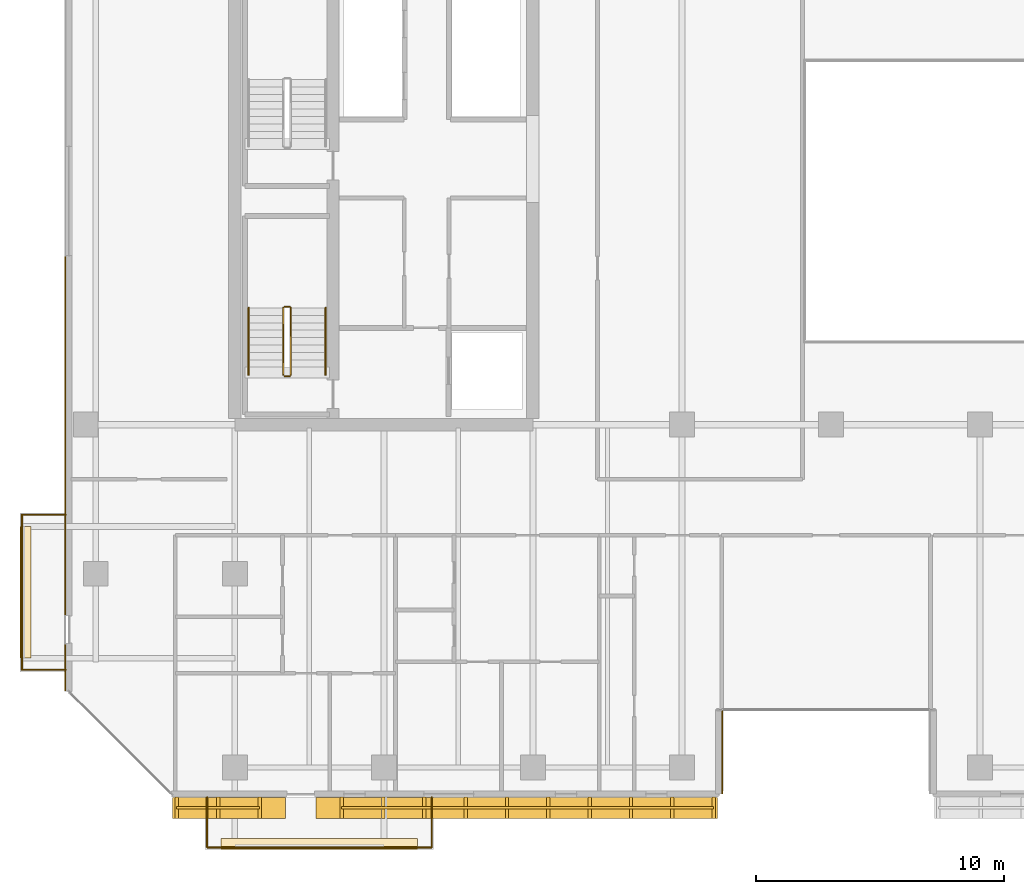
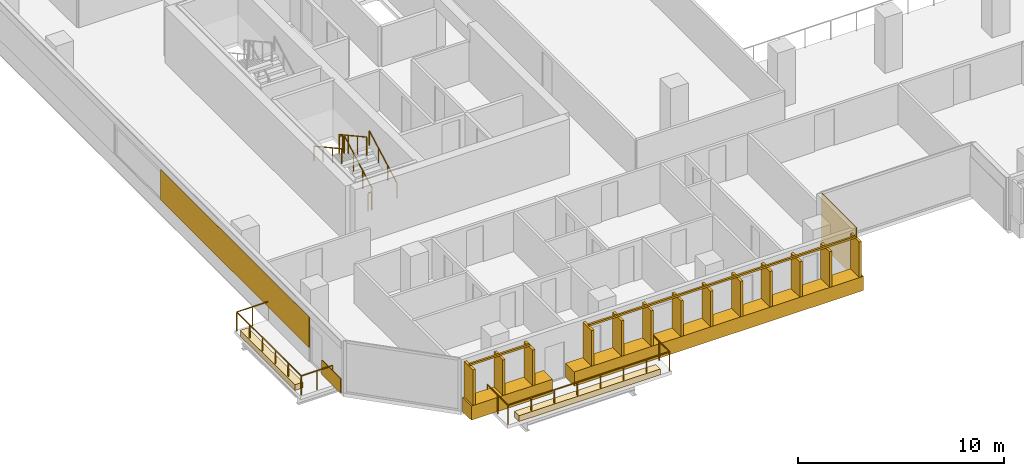
# One storey, part 28 of 33: 10 railings, 7 coverings.
"""IFC4 building model written with IfcOpenShell, lengths in metres."""

from ifc_helpers import new_model, si_unit, direction, frame, origin, origin_2d, place, context, subcontext, project, spatial, polyline, rectangle, outline, extrude, material, layer, layer_set, type_object, element, save


model = new_model("IFC4")

# Units and contexts
model_context = context("Model", 3, precision=1e-05, world=origin(), true_north=direction((0.0, 1.0)))
body_context = subcontext(model_context, "Body", "Model", "MODEL_VIEW")
ifc_project = project(units=[si_unit("LENGTHUNIT", "METRE"), si_unit("AREAUNIT", "SQUARE_METRE"), si_unit("VOLUMEUNIT", "CUBIC_METRE"), si_unit("PLANEANGLEUNIT", "RADIAN"), si_unit("MASSUNIT", "GRAM", prefix="KILO")], contexts=[model_context])

# Site, building, storey
site_placement = place(None, origin())
site = spatial("IfcSite", under=ifc_project, at=site_placement, CompositionType="ELEMENT")
building_placement = place(site_placement, origin())
building = spatial("IfcBuilding", under=site, at=building_placement, Name="Tanjung Sevakor Pilgrim Tower", CompositionType="ELEMENT")
storey_placement = place(building_placement, frame((0.0, 0.0, 95.3701171875)))
storey = spatial("IfcBuildingStorey", under=building, at=storey_placement, Name="L26", CompositionType="ELEMENT", Elevation=95.3701171875)

# Coverings
ifc_material_1 = material(Name="Reconstructed Limestone Cladding", Category="masonry")
ifc_layer_1 = layer(ifc_material_1, 0.044921875)
ifc_layer_set_1 = layer_set([ifc_layer_1], Name="COV-CLAD-LIMESTONE")
covering_type_1 = type_object("IfcCoveringType", Name="COV-CLAD-LIMESTONE", PredefinedType="CLADDING", material=ifc_layer_set_1)
covering_1_placement = place(storey_placement, frame((23.765869140625, 9.169921875, 0.009765625), z_axis=(0.0, 0.0, 1.0), x_axis=(1.0, 0.0, 0.0)))
element("IfcCovering", 1, at=covering_1_placement, inside=storey, type_object=covering_type_1, Name="L26 Warm Limestone Sill Spandrel EW-L26-MAIN-1-1", PredefinedType="CLADDING", context=body_context, shape_type="SweptSolid", body=[
    extrude(rectangle(XDim=4.548095703125, YDim=0.860107421875, at=origin_2d()), origin(), (0.0, 0.0, 1.0), 0.840087890625),
])
covering_2_placement = place(storey_placement, frame((35.347412109375, 9.169921875, 0.009765625), z_axis=(0.0, 0.0, 1.0), x_axis=(1.0, 0.0, 0.0)))
element("IfcCovering", 2, at=covering_2_placement, inside=storey, type_object=covering_type_1, Name="L26 Warm Limestone Sill Spandrel EW-L26-MAIN-1-2", PredefinedType="CLADDING", context=body_context, shape_type="SweptSolid", body=[
    extrude(rectangle(XDim=16.175048828125, YDim=0.860107421875, at=origin_2d()), origin(), (0.0, 0.0, 1.0), 0.840087890625),
])
covering_3_placement = place(storey_placement, frame((43.62255859375, 11.425048828125, 0.019775390625), z_axis=(0.0, 0.0, 1.0), x_axis=(0.0, 1.0, 0.0)))
element("IfcCovering", 3, at=covering_3_placement, inside=storey, type_object=covering_type_1, Name="L26 Warm Limestone Wall Cladding EW-L26-MAIN-2", PredefinedType="CLADDING", context=body_context, shape_type="SweptSolid", body=[
    extrude(rectangle(XDim=3.360107421875, YDim=0.044921875, at=origin_2d()), origin(), (0.0, 0.0, 1.0), 3.0400390625),
])
covering_4_placement = place(storey_placement, frame((17.177490234375, 14.81591796875, 0.009765625), z_axis=(0.0, 0.0, 1.0), x_axis=(0.0, -1.0, 0.0)))
element("IfcCovering", 4, at=covering_4_placement, inside=storey, type_object=covering_type_1, Name="L26 Warm Limestone Sill Spandrel EW-L26-MAIN-15-2", PredefinedType="CLADDING", context=body_context, shape_type="SweptSolid", body=[
    extrude(rectangle(XDim=1.84814453125, YDim=0.044921875, at=origin_2d()), origin(), (0.0, 0.0, 1.0), 0.840087890625),
])
covering_5_placement = place(storey_placement, frame((17.177490234375, 24.14990234375, 0.849853515625), z_axis=(0.0, 0.0, 1.0), x_axis=(0.0, -1.0, 0.0)))
element("IfcCovering", 5, at=covering_5_placement, inside=storey, type_object=covering_type_1, Name="L26 Warm Limestone Pier Panel EW-L26-MAIN-15-2", PredefinedType="CLADDING", context=body_context, shape_type="SweptSolid", body=[
    extrude(rectangle(XDim=14.39990234375, YDim=0.044921875, at=origin_2d()), origin(), (0.0, 0.0, 1.0), 1.81005859375),
])
ifc_material_2 = material(Name="Vegetated Modular Planter Assembly", Category="organic")
ifc_layer_2 = layer(ifc_material_2, 0.35009765625)
ifc_layer_set_2 = layer_set([ifc_layer_2], Name="COV-GRN-TROUGH")
covering_type_2 = type_object("IfcCoveringType", Name="COV-GRN-TROUGH", PredefinedType="CLADDING", material=ifc_layer_set_2)
covering_6_placement = place(storey_placement, origin())
element("IfcCovering", 6, at=covering_6_placement, inside=storey, type_object=covering_type_2, Name="L26 Planted Landscape Hedge Trough BGRN-L26-MAIN-S1", PredefinedType="CLADDING", context=body_context, shape_type="SweptSolid", body=[
    extrude(outline(polyline([(23.449951171875, 7.5), (31.35009765625, 7.5), (31.35009765625, 7.93994140625), (23.449951171875, 7.93994140625), (23.449951171875, 7.5)])), origin(), (0.0, 0.0, 1.0), 0.349853515625),
])
covering_7_placement = place(storey_placement, origin())
element("IfcCovering", 7, at=covering_7_placement, inside=storey, type_object=covering_type_2, Name="L26 Planted Landscape Hedge Trough BGRN-L26-MAIN-W1", PredefinedType="CLADDING", context=body_context, shape_type="SweptSolid", body=[
    extrude(outline(polyline([(15.7900390625, 15.199951171875), (15.7900390625, 20.5), (15.35009765625, 20.5), (15.35009765625, 15.199951171875), (15.7900390625, 15.199951171875)])), origin(), (0.0, 0.0, 1.0), 0.349853515625),
])

# Railings
ifc_material_3 = material(Name="Laminated Glass and Aluminium", Category="aluminium")
railing_type_1 = type_object("IfcRailingType", Name="RL-BAL-BALUST", PredefinedType="BALUSTRADE", material=ifc_material_3)
railing_1_placement = place(storey_placement, frame((22.8798828125, 9.60009765625, 0.0)))
element("IfcRailing", 8, at=railing_1_placement, inside=storey, type_object=railing_type_1, Name="L26 Loggia Balustrade MAIN-S1", PredefinedType="BALUSTRADE", context=body_context, shape_type="SweptSolid", body=[
    extrude(rectangle(XDim=0.0479, YDim=0.0479), frame((0.0, 0.0, 1.1259765625), z_axis=(0.0, -1.0, 0.0), x_axis=(1.0, 0.0, 0.0)), (0.0, 0.0, 1.0), 2.02001953125),
    extrude(rectangle(XDim=0.0479, YDim=0.0479), frame((0.0, -2.02001953125, 1.1259765625), z_axis=(1.0, 0.0, 0.0), x_axis=(0.0, 1.0, 0.0)), (0.0, 0.0, 1.0), 9.0400390625),
    extrude(rectangle(XDim=0.0479, YDim=0.0479), frame((9.0400390625, -2.02001953125, 1.1259765625), z_axis=(0.0, 1.0, 0.0), x_axis=(-1.0, 0.0, 0.0)), (0.0, 0.0, 1.0), 2.02001953125),
    extrude(rectangle(XDim=0.042, YDim=0.042), origin(), (0.0, 0.0, 1.0), 1.101806640625),
    extrude(rectangle(XDim=0.042, YDim=0.042), frame((0.0, -1.010009765625, 0.0)), (0.0, 0.0, 1.0), 1.101806640625),
    extrude(rectangle(XDim=0.042, YDim=0.042), frame((0.0, -2.02001953125, 0.0)), (0.0, 0.0, 1.0), 1.101806640625),
    extrude(rectangle(XDim=0.042, YDim=0.042), frame((1.29150390625, -2.02001953125, 0.0)), (0.0, 0.0, 1.0), 1.101806640625),
    extrude(rectangle(XDim=0.042, YDim=0.042), frame((2.582763671875, -2.02001953125, 0.0)), (0.0, 0.0, 1.0), 1.101806640625),
    extrude(rectangle(XDim=0.042, YDim=0.042), frame((3.874267578125, -2.02001953125, 0.0)), (0.0, 0.0, 1.0), 1.101806640625),
    extrude(rectangle(XDim=0.042, YDim=0.042), frame((5.165771484375, -2.02001953125, 0.0)), (0.0, 0.0, 1.0), 1.101806640625),
    extrude(rectangle(XDim=0.042, YDim=0.042), frame((6.457275390625, -2.02001953125, 0.0)), (0.0, 0.0, 1.0), 1.101806640625),
    extrude(rectangle(XDim=0.042, YDim=0.042), frame((7.74853515625, -2.02001953125, 0.0)), (0.0, 0.0, 1.0), 1.101806640625),
    extrude(rectangle(XDim=0.042, YDim=0.042), frame((9.0400390625, -2.02001953125, 0.0)), (0.0, 0.0, 1.0), 1.101806640625),
    extrude(rectangle(XDim=0.042, YDim=0.042), frame((9.0400390625, -1.010009765625, 0.0)), (0.0, 0.0, 1.0), 1.101806640625),
    extrude(rectangle(XDim=0.042, YDim=0.042), frame((9.0400390625, 0.0, 0.0)), (0.0, 0.0, 1.0), 1.101806640625),
])
railing_2_placement = place(storey_placement, frame((17.199951171875, 14.72998046875, 0.0)))
element("IfcRailing", 9, at=railing_2_placement, inside=storey, type_object=railing_type_1, Name="L26 Loggia Balustrade MAIN-W1", PredefinedType="BALUSTRADE", context=body_context, shape_type="SweptSolid", body=[
    extrude(rectangle(XDim=0.0479, YDim=0.0479), frame((0.0, 0.0, 1.1259765625), z_axis=(-1.0, 0.0, 0.0), x_axis=(0.0, -1.0, 0.0)), (0.0, 0.0, 1.0), 1.77001953125),
    extrude(rectangle(XDim=0.0479, YDim=0.0479), frame((-1.77001953125, 0.0, 1.1259765625), z_axis=(0.0, 1.0, 0.0), x_axis=(-1.0, 0.0, 0.0)), (0.0, 0.0, 1.0), 6.239990234375),
    extrude(rectangle(XDim=0.0479, YDim=0.0479), frame((-1.77001953125, 6.239990234375, 1.1259765625), z_axis=(1.0, 0.0, 0.0), x_axis=(0.0, 1.0, 0.0)), (0.0, 0.0, 1.0), 1.77001953125),
    extrude(rectangle(XDim=0.042, YDim=0.042), origin(), (0.0, 0.0, 1.0), 1.101806640625),
    extrude(rectangle(XDim=0.042, YDim=0.042), frame((-0.885009765625, 0.0, 0.0)), (0.0, 0.0, 1.0), 1.101806640625),
    extrude(rectangle(XDim=0.042, YDim=0.042), frame((-1.77001953125, 0.0, 0.0)), (0.0, 0.0, 1.0), 1.101806640625),
    extrude(rectangle(XDim=0.042, YDim=0.042), frame((-1.77001953125, 1.248046875, 0.0)), (0.0, 0.0, 1.0), 1.101806640625),
    extrude(rectangle(XDim=0.042, YDim=0.042), frame((-1.77001953125, 2.49609375, 0.0)), (0.0, 0.0, 1.0), 1.101806640625),
    extrude(rectangle(XDim=0.042, YDim=0.042), frame((-1.77001953125, 3.743896484375, 0.0)), (0.0, 0.0, 1.0), 1.101806640625),
    extrude(rectangle(XDim=0.042, YDim=0.042), frame((-1.77001953125, 4.991943359375, 0.0)), (0.0, 0.0, 1.0), 1.101806640625),
    extrude(rectangle(XDim=0.042, YDim=0.042), frame((-1.77001953125, 6.239990234375, 0.0)), (0.0, 0.0, 1.0), 1.101806640625),
    extrude(rectangle(XDim=0.042, YDim=0.042), frame((-0.885009765625, 6.239990234375, 0.0)), (0.0, 0.0, 1.0), 1.101806640625),
    extrude(rectangle(XDim=0.042, YDim=0.042), frame((0.0, 6.239990234375, 0.0)), (0.0, 0.0, 1.0), 1.101806640625),
])
ifc_material_4 = material(Name="Anodised Bronze Aluminium 6063-T6", Category="aluminium")
railing_type_2 = type_object("IfcRailingType", Name="RL-FIN-SCREEN", PredefinedType="BALUSTRADE", material=ifc_material_4)
railing_3_placement = place(storey_placement, frame((21.65185546875, 9.175048828125, 0.83984375)))
element("IfcRailing", 10, at=railing_3_placement, inside=storey, type_object=railing_type_2, Name="L26 Vertical Bronze-Gold Solar Fin Screen FNSCR-EW-L26-MAIN-1-1", PredefinedType="BALUSTRADE", context=body_context, shape_type="SweptSolid", body=[
    extrude(rectangle(XDim=0.105, YDim=0.105), frame((0.0, 0.0, 2.157470703125), z_axis=(1.0, 0.0, 0.0), x_axis=(0.0, 1.0, 0.0)), (0.0, 0.0, 1.0), 3.34814453125),
    extrude(rectangle(XDim=0.14, YDim=0.85), origin(), (0.0, 0.0, 1.0), 2.10498046875),
    extrude(rectangle(XDim=0.14, YDim=0.85), frame((1.674072265625, 0.0, 0.0)), (0.0, 0.0, 1.0), 2.10498046875),
    extrude(rectangle(XDim=0.14, YDim=0.85), frame((3.34814453125, 0.0, 0.0)), (0.0, 0.0, 1.0), 2.10498046875),
])
railing_4_placement = place(storey_placement, frame((28.300048828125, 9.175048828125, 0.83984375)))
element("IfcRailing", 11, at=railing_4_placement, inside=storey, type_object=railing_type_2, Name="L26 Vertical Bronze-Gold Solar Fin Screen FNSCR-EW-L26-MAIN-1-2", PredefinedType="BALUSTRADE", context=body_context, shape_type="SweptSolid", body=[
    extrude(rectangle(XDim=0.105, YDim=0.105), frame((0.0, 0.0, 2.157470703125), z_axis=(1.0, 0.0, 0.0), x_axis=(0.0, 1.0, 0.0)), (0.0, 0.0, 1.0), 14.974853515625),
    extrude(rectangle(XDim=0.14, YDim=0.85), origin(), (0.0, 0.0, 1.0), 2.10498046875),
    extrude(rectangle(XDim=0.14, YDim=0.85), frame((1.663818359375, 0.0, 0.0)), (0.0, 0.0, 1.0), 2.10498046875),
    extrude(rectangle(XDim=0.14, YDim=0.85), frame((3.32763671875, 0.0, 0.0)), (0.0, 0.0, 1.0), 2.10498046875),
    extrude(rectangle(XDim=0.14, YDim=0.85), frame((4.99169921875, 0.0, 0.0)), (0.0, 0.0, 1.0), 2.10498046875),
    extrude(rectangle(XDim=0.14, YDim=0.85), frame((6.655517578125, 0.0, 0.0)), (0.0, 0.0, 1.0), 2.10498046875),
    extrude(rectangle(XDim=0.14, YDim=0.85), frame((8.3193359375, 0.0, 0.0)), (0.0, 0.0, 1.0), 2.10498046875),
    extrude(rectangle(XDim=0.14, YDim=0.85), frame((9.983154296875, 0.0, 0.0)), (0.0, 0.0, 1.0), 2.10498046875),
    extrude(rectangle(XDim=0.14, YDim=0.85), frame((11.647216796875, 0.0, 0.0)), (0.0, 0.0, 1.0), 2.10498046875),
    extrude(rectangle(XDim=0.14, YDim=0.85), frame((13.31103515625, 0.0, 0.0)), (0.0, 0.0, 1.0), 2.10498046875),
    extrude(rectangle(XDim=0.14, YDim=0.85), frame((14.974853515625, 0.0, 0.0)), (0.0, 0.0, 1.0), 2.10498046875),
])
ifc_material_5 = material(Name="Steel S355J2", Category="steel")
railing_type_3 = type_object("IfcRailingType", Name="RL-STAIR-GUARD", PredefinedType="GUARDRAIL", material=ifc_material_5)
railing_5_placement = place(storey_placement, frame((26.25, 26.60009765625, 0.164794921875)))
element("IfcRailing", 12, at=railing_5_placement, inside=storey, type_object=railing_type_3, Name="L26 TS-W1 stair guard 1", PredefinedType="GUARDRAIL", context=body_context, shape_type="SweptSolid", body=[
    extrude(rectangle(XDim=0.0479, YDim=0.0479), frame((0.0, 0.0, 1.076171875), z_axis=(0.0, 0.876197507361, 0.481952205197), x_axis=(-1.0, 0.0, 0.0)), (0.0, 0.0, 1.0), 3.08154296875),
    extrude(rectangle(XDim=0.042, YDim=0.042), origin(), (0.0, 0.0, 1.0), 1.052001953125),
    extrude(rectangle(XDim=0.042, YDim=0.042), frame((0.0, 0.89990234375, 0.4951171875)), (0.0, 0.0, 1.0), 1.052001953125),
    extrude(rectangle(XDim=0.042, YDim=0.042), frame((0.0, 1.800048828125, 0.989990234375)), (0.0, 0.0, 1.0), 1.052001953125),
    extrude(rectangle(XDim=0.042, YDim=0.042), frame((0.0, 2.699951171875, 1.485107421875)), (0.0, 0.0, 1.0), 1.052001953125),
])
railing_6_placement = place(storey_placement, frame((26.199951171875, 29.35009765625, 1.64990234375)))
element("IfcRailing", 13, at=railing_6_placement, inside=storey, type_object=railing_type_3, Name="L26 TS-W1 stair guard 2", PredefinedType="GUARDRAIL", context=body_context, shape_type="SweptSolid", body=[
    extrude(rectangle(XDim=0.0479, YDim=0.0479), frame((0.0, 0.0, 1.076171875), z_axis=(-1.0, 0.0, 0.0), x_axis=(0.0, -1.0, 0.0)), (0.0, 0.0, 1.0), 0.199951171875),
    extrude(rectangle(XDim=0.042, YDim=0.042), origin(), (0.0, 0.0, 1.0), 1.052001953125),
    extrude(rectangle(XDim=0.042, YDim=0.042), frame((-0.199951171875, 0.0, 0.0)), (0.0, 0.0, 1.0), 1.052001953125),
])
railing_7_placement = place(storey_placement, frame((25.949951171875, 29.300048828125, 1.81494140625)))
element("IfcRailing", 14, at=railing_7_placement, inside=storey, type_object=railing_type_3, Name="L26 TS-W1 stair guard 3", PredefinedType="GUARDRAIL", context=body_context, shape_type="SweptSolid", body=[
    extrude(rectangle(XDim=0.0479, YDim=0.0479), frame((0.0, 0.0, 1.076171875), z_axis=(0.0, -0.876230963923, 0.481891375584), x_axis=(1.0, 0.0, 0.0)), (0.0, 0.0, 1.0), 3.081298828125),
    extrude(rectangle(XDim=0.042, YDim=0.042), origin(), (0.0, 0.0, 1.0), 1.052001953125),
    extrude(rectangle(XDim=0.042, YDim=0.042), frame((0.0, -0.89990234375, 0.494873046875)), (0.0, 0.0, 1.0), 1.052001953125),
    extrude(rectangle(XDim=0.042, YDim=0.042), frame((0.0, -1.800048828125, 0.989990234375)), (0.0, 0.0, 1.0), 1.052001953125),
    extrude(rectangle(XDim=0.042, YDim=0.042), frame((0.0, -2.699951171875, 1.48486328125)), (0.0, 0.0, 1.0), 1.052001953125),
])
railing_8_placement = place(storey_placement, frame((26.199951171875, 26.550048828125, 0.0)))
element("IfcRailing", 15, at=railing_8_placement, inside=storey, type_object=railing_type_3, Name="L26 TS-W1 stair guard 4", PredefinedType="GUARDRAIL", context=body_context, shape_type="SweptSolid", body=[
    extrude(rectangle(XDim=0.0479, YDim=0.0479), frame((0.0, 0.0, 1.076171875), z_axis=(-1.0, 0.0, 0.0), x_axis=(0.0, -1.0, 0.0)), (0.0, 0.0, 1.0), 0.199951171875),
    extrude(rectangle(XDim=0.042, YDim=0.042), origin(), (0.0, 0.0, 1.0), 1.052001953125),
    extrude(rectangle(XDim=0.042, YDim=0.042), frame((-0.199951171875, 0.0, 0.0)), (0.0, 0.0, 1.0), 1.052001953125),
])
ifc_material_6 = material(Name="Steel S355J2", Category="steel")
railing_type_4 = type_object("IfcRailingType", Name="RL-STAIR-HAND", PredefinedType="HANDRAIL", material=ifc_material_6)
railing_9_placement = place(storey_placement, frame((27.64990234375, 26.60009765625, 0.164794921875)))
element("IfcRailing", 16, at=railing_9_placement, inside=storey, type_object=railing_type_4, Name="L26 TS-W1 stair handrail 1", PredefinedType="HANDRAIL", context=body_context, shape_type="SweptSolid", body=[
    extrude(rectangle(XDim=0.0479, YDim=0.0479), frame((0.0, 0.0, 0.8759765625), z_axis=(0.0, 0.876197507361, 0.481952205197), x_axis=(-1.0, 0.0, 0.0)), (0.0, 0.0, 1.0), 3.08154296875),
    extrude(rectangle(XDim=0.042, YDim=0.042), origin(), (0.0, 0.0, 1.0), 0.851806640625),
    extrude(rectangle(XDim=0.042, YDim=0.042), frame((0.0, 0.89990234375, 0.4951171875)), (0.0, 0.0, 1.0), 0.851806640625),
    extrude(rectangle(XDim=0.042, YDim=0.042), frame((0.0, 1.800048828125, 0.989990234375)), (0.0, 0.0, 1.0), 0.851806640625),
    extrude(rectangle(XDim=0.042, YDim=0.042), frame((0.0, 2.699951171875, 1.485107421875)), (0.0, 0.0, 1.0), 0.851806640625),
])
railing_10_placement = place(storey_placement, frame((24.550048828125, 29.300048828125, 1.81494140625)))
element("IfcRailing", 17, at=railing_10_placement, inside=storey, type_object=railing_type_4, Name="L26 TS-W1 stair handrail 2", PredefinedType="HANDRAIL", context=body_context, shape_type="SweptSolid", body=[
    extrude(rectangle(XDim=0.0479, YDim=0.0479), frame((0.0, 0.0, 0.8759765625), z_axis=(0.0, -0.876230963923, 0.481891375584), x_axis=(1.0, 0.0, 0.0)), (0.0, 0.0, 1.0), 3.081298828125),
    extrude(rectangle(XDim=0.042, YDim=0.042), origin(), (0.0, 0.0, 1.0), 0.851806640625),
    extrude(rectangle(XDim=0.042, YDim=0.042), frame((0.0, -0.89990234375, 0.494873046875)), (0.0, 0.0, 1.0), 0.851806640625),
    extrude(rectangle(XDim=0.042, YDim=0.042), frame((0.0, -1.800048828125, 0.989990234375)), (0.0, 0.0, 1.0), 0.851806640625),
    extrude(rectangle(XDim=0.042, YDim=0.042), frame((0.0, -2.699951171875, 1.48486328125)), (0.0, 0.0, 1.0), 0.851806640625),
])

save(model, "model.ifc")
